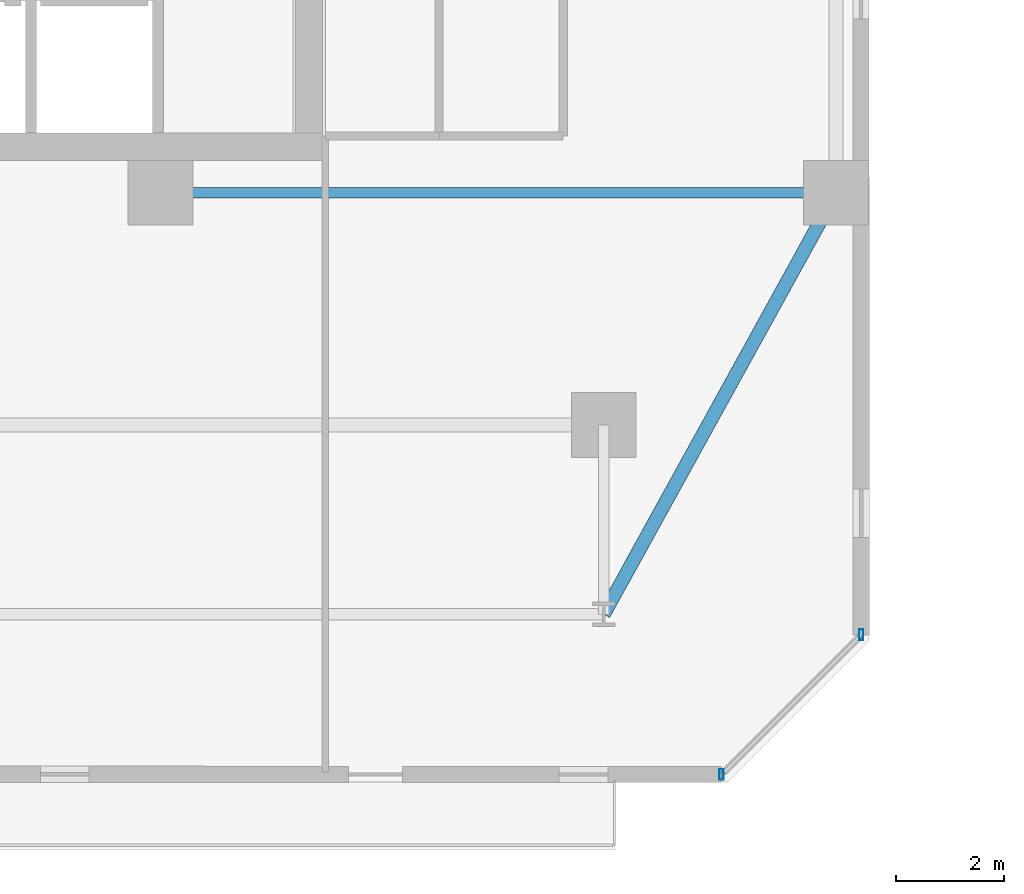
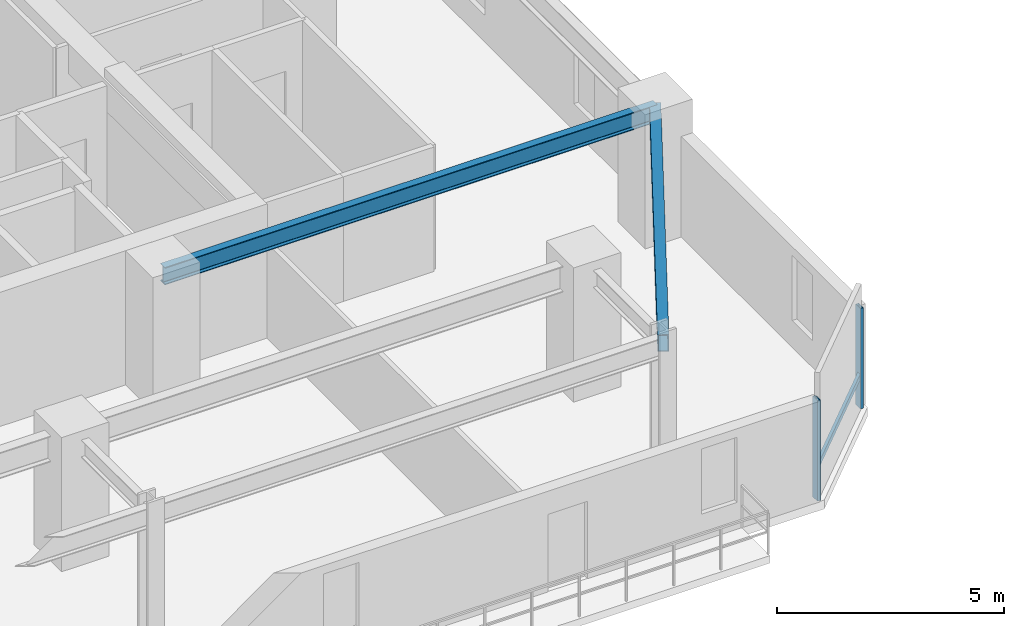
# One storey, part 5 of 33: 3 members, 2 beams, 1 element without a shape of its own.
"""IFC4 building model written with IfcOpenShell, lengths in metres."""

from ifc_helpers import new_model, si_unit, direction, frame, origin, origin_2d, place, context, subcontext, project, spatial, hollow_rectangle, i_section, extrude, material, material_profile, profile_set, type_object, element, aggregate, save


model = new_model("IFC4")

# Units and contexts
model_context = context("Model", 3, precision=1e-05, world=origin(), true_north=direction((0.0, 1.0)))
body_context = subcontext(model_context, "Body", "Model", "MODEL_VIEW")
ifc_project = project(units=[si_unit("LENGTHUNIT", "METRE"), si_unit("AREAUNIT", "SQUARE_METRE"), si_unit("VOLUMEUNIT", "CUBIC_METRE"), si_unit("PLANEANGLEUNIT", "RADIAN"), si_unit("MASSUNIT", "GRAM", prefix="KILO")], contexts=[model_context])

# Site, building, storey
site_placement = place(None, origin())
site = spatial("IfcSite", under=ifc_project, at=site_placement, CompositionType="ELEMENT")
building_placement = place(site_placement, origin())
building = spatial("IfcBuilding", under=site, at=building_placement, Name="Thornwick Lancets Civic Towers", CompositionType="ELEMENT")
storey_placement = place(building_placement, frame((0.0, 0.0, 130.5)))
storey = spatial("IfcBuildingStorey", under=building, at=storey_placement, Name="L34", CompositionType="ELEMENT", Elevation=130.5)

# Beams
ifc_material_1 = material(Name="Steel S355JR", Category="steel")
ifc_material_profile_1 = material_profile(ifc_material_1, i_section(OverallWidth=0.19287109375, OverallDepth=0.46728515625, WebThickness=0.011474609375, FlangeThickness=0.01953125, FilletRadius=0.01025390625, at=origin_2d()), Name="UKB 457x191x98")
ifc_profile_set_1 = profile_set([ifc_material_profile_1], Name="Steel S355JR")
beam_type_1 = type_object("IfcBeamType", Name="BM_JOIST_457_98", PredefinedType="JOIST", material=ifc_profile_set_1)
beam_1_placement = place(storey_placement, frame((30.300048828125, 14.0, 3.12646484375), z_axis=(1.0, 0.0, 0.0), x_axis=(0.0, 1.0, 0.0)))
element("IfcBeam", 1, at=beam_1_placement, inside=storey, type_object=beam_type_1, Name="BM-RADIN-L34-A04", PredefinedType="JOIST", context=body_context, shape_type="SweptSolid", body=[
    extrude(i_section(OverallWidth=0.19287109375, OverallDepth=0.46728515625, WebThickness=0.011474609375, FlangeThickness=0.01953125, FilletRadius=0.01025390625, at=origin_2d()), origin(), (0.0, 0.0, 1.0), 12.5),
])
ifc_material_profile_2 = material_profile(ifc_material_1, hollow_rectangle(XDim=0.25, YDim=0.449951171875, WallThickness=0.01611328125, at=origin_2d()), Name="RHS 450x250x16")
ifc_profile_set_2 = profile_set([ifc_material_profile_2], Name="Steel S355JR")
beam_type_2 = type_object("IfcBeamType", Name="BM_RING_RHS450", PredefinedType="BEAM", material=ifc_profile_set_2)
beam_2_placement = place(storey_placement, frame((38.5, 6.199951171875, 3.135009765625), z_axis=(0.482782395749, 0.875740348708, 0.0), x_axis=(-0.875740348708, 0.482782395749, 0.0)))
element("IfcBeam", 2, at=beam_2_placement, inside=storey, type_object=beam_type_2, Name="BM-CHAMF-L34-A-C0", PredefinedType="BEAM", context=body_context, shape_type="SweptSolid", body=[
    extrude(hollow_rectangle(XDim=0.25, YDim=0.449951171875, WallThickness=0.01611328125, at=origin_2d()), origin(), (0.0, 0.0, 1.0), 8.90673828125),
])

# Curtain wall, members
ifc_material_2 = material(Name="Mid-zone chamfered-corner unitised glass curtain wall", Category="glass")
curtain_wall_type = type_object("IfcCurtainWallType", Name="CW_SYS_04", PredefinedType="NOTDEFINED", material=ifc_material_2)
curtain_wall_placement = place(storey_placement, origin())
curtain_wall = element("IfcCurtainWall", 3, at=curtain_wall_placement, inside=storey, type_object=curtain_wall_type, Name="L34 Curtain Wall CW-L34-A-E1", PredefinedType="NOTDEFINED")
ifc_material_3 = material(Name="Thermally broken bronze aluminium S355", Category="steel")
ifc_material_profile_3 = material_profile(ifc_material_3, hollow_rectangle(XDim=0.080078125, YDim=0.199951171875, WallThickness=0.006103515625, at=origin_2d()), Name="RHS 200x80x6")
ifc_profile_set_3 = profile_set([ifc_material_profile_3], Name="Thermally broken bronze aluminium S355")
member_type_1 = type_object("IfcMemberType", Name="CW_MUL_200", PredefinedType="MULLION", material=ifc_profile_set_3)
member_1_placement = place(storey_placement, frame((40.681396484375, 3.2353515625, 0.0), z_axis=(0.0, 0.0, 1.0), x_axis=(1.0, 0.0, 0.0)))
member_1 = element("IfcMember", 4, at=member_1_placement, type_object=member_type_1, Name="CW-L34-A-E1 Mullion 0", PredefinedType="MULLION", context=body_context, shape_type="SweptSolid", body=[
    extrude(hollow_rectangle(XDim=0.080078125, YDim=0.199951171875, WallThickness=0.006103515625, at=origin_2d()), origin(), (0.0, 0.0, 1.0), 2.699951171875),
])
member_2_placement = place(storey_placement, frame((43.2646484375, 5.818603515625, 0.0), z_axis=(0.0, 0.0, 1.0), x_axis=(1.0, 0.0, 0.0)))
member_2 = element("IfcMember", 5, at=member_2_placement, type_object=member_type_1, Name="CW-L34-A-E1 Mullion 1", PredefinedType="MULLION", context=body_context, shape_type="SweptSolid", body=[
    extrude(hollow_rectangle(XDim=0.080078125, YDim=0.199951171875, WallThickness=0.006103515625, at=origin_2d()), origin(), (0.0, 0.0, 1.0), 2.699951171875),
])
ifc_material_profile_4 = material_profile(ifc_material_3, hollow_rectangle(XDim=0.074951171875, YDim=0.14990234375, WallThickness=0.0048828125, at=origin_2d()), Name="RHS 150x75x5")
ifc_profile_set_4 = profile_set([ifc_material_profile_4], Name="Thermally broken bronze aluminium S355")
member_type_2 = type_object("IfcMemberType", Name="CW_TRN_150", PredefinedType="USERDEFINED", material=ifc_profile_set_4)
member_3_placement = place(storey_placement, frame((40.695556640625, 3.24951171875, 0.85009765625), z_axis=(0.707106781187, 0.707106781187, 0.0), x_axis=(-0.707106781187, 0.707106781187, 0.0)))
member_3 = element("IfcMember", 6, at=member_3_placement, type_object=member_type_2, Name="CW-L34-A-E1 Transom 0", ObjectType="TRANSOM", PredefinedType="USERDEFINED", context=body_context, shape_type="SweptSolid", body=[
    extrude(hollow_rectangle(XDim=0.074951171875, YDim=0.14990234375, WallThickness=0.0048828125, at=origin_2d()), origin(), (0.0, 0.0, 1.0), 3.61328125),
])
aggregate(curtain_wall, [member_1, member_2, member_3])

save(model, "model.ifc")
